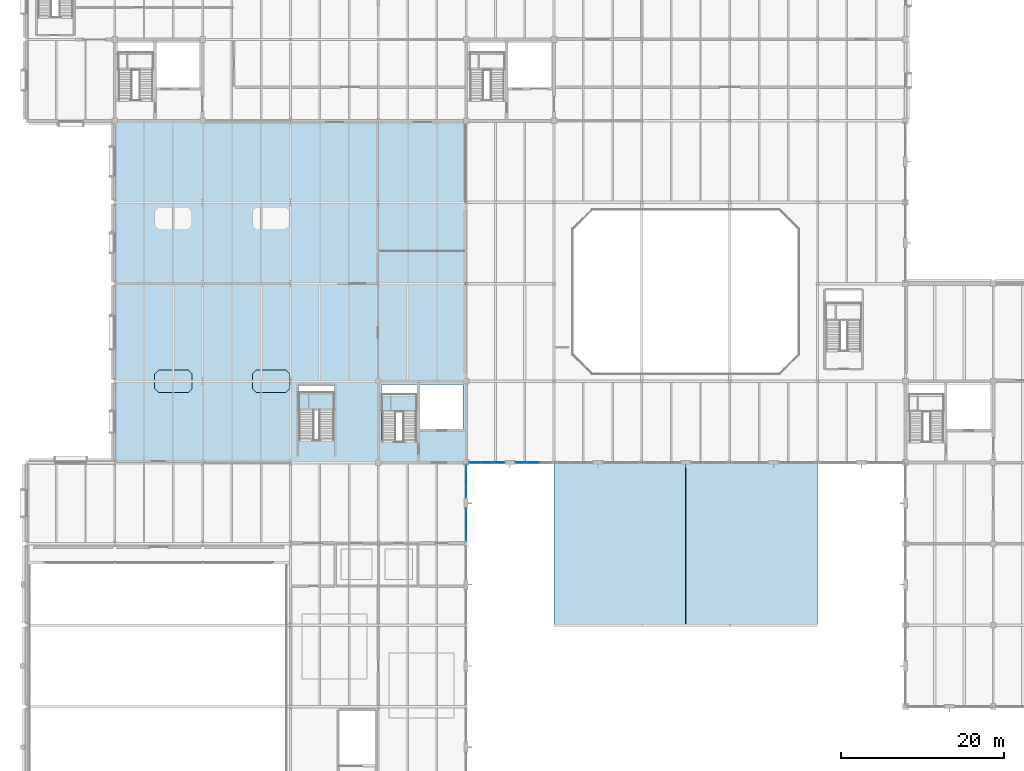
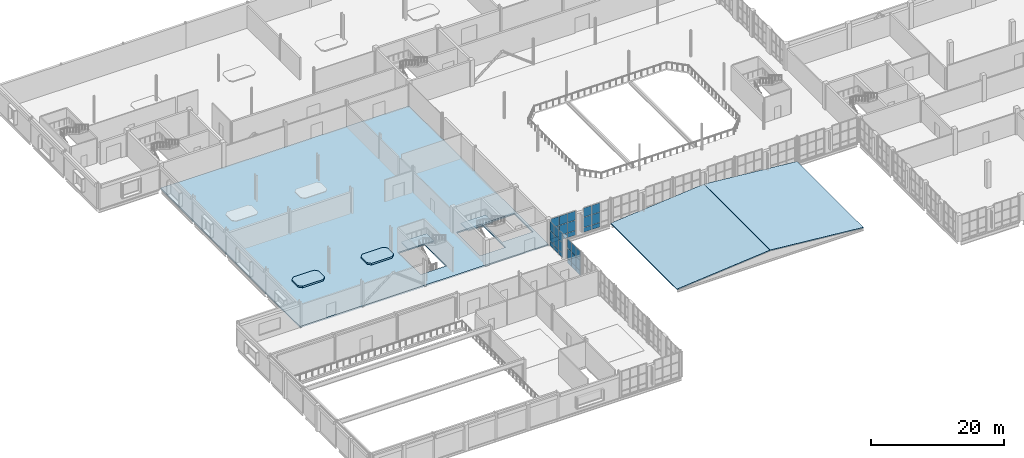
# One storey, part 57 of 92: 33 plates, 7 slabs, 6 elements without a shape of their own.
"""IFC4 building model written with IfcOpenShell, lengths in metres."""

import ifcopenshell
import ifcopenshell.guid

model = None  # the IFC model being written
_history = None  # IfcOwnerHistory: only IFC2X3 demands one
_inside = {}  # id of a spatial element -> (the spatial element, [elements in it])
_under = {}  # id of a project, library or spatial element -> (it, [spatial elements below it])
_declared = {}  # id of a project -> (the project, [libraries it declares])
_typed = {}  # id of a type object -> (the type object, [elements of that type])
_made_of = {}  # id of a material, layer set ... -> (it, [elements and type objects made of it])


def new_model(schema):
    """Start an empty IFC model of exactly this schema.

    Asked for "IFC4X3", IfcOpenShell would pick the latest addendum, in which some entities
    have other attributes; the version numbers below select the first issue.
    IFC2X3 requires an IfcOwnerHistory on every rooted entity: one is made here for all.
    """
    global model, _history
    if schema == "IFC4X3":
        model = ifcopenshell.file(schema_version=(4, 3, 0, 0))
    else:
        model = ifcopenshell.file(schema=schema)
    _inside.clear()
    _under.clear()
    _declared.clear()
    _typed.clear()
    _made_of.clear()
    _history = None
    if model.schema == "IFC2X3":
        org = make("IfcOrganization", Name="unknown")
        user = make(
            "IfcPersonAndOrganization",
            ThePerson=make("IfcPerson", FamilyName="unknown"),
            TheOrganization=org,
        )
        app = make(
            "IfcApplication",
            ApplicationDeveloper=org,
            Version="unknown",
            ApplicationFullName="unknown",
            ApplicationIdentifier="unknown",
        )
        _history = make(
            "IfcOwnerHistory",
            OwningUser=user,
            OwningApplication=app,
            ChangeAction="ADDED",
            CreationDate=0,
        )
    return model


def make(cls, **values):
    """One entity of the class cls with the attributes given. An attribute that is None is left unset."""
    return model.create_entity(
        cls, **{name: value for name, value in values.items() if value is not None}
    )


def rooted(cls, **values):
    """An entity with a GlobalId (a new one), such as an element, a storey or a relation."""
    return make(cls, GlobalId=ifcopenshell.guid.new(), OwnerHistory=_history, **values)


def si_unit(unit_type, name, prefix=None):
    """IfcSIUnit, for example si_unit("LENGTHUNIT", "METRE", prefix="MILLI")."""
    return make("IfcSIUnit", UnitType=unit_type, Prefix=prefix, Name=name)


def assignment(units):
    """IfcUnitAssignment: the units of a project."""
    return None if units is None else make("IfcUnitAssignment", Units=units)


def point(xyz):
    """IfcCartesianPoint."""
    return None if xyz is None else make("IfcCartesianPoint", Coordinates=xyz)


def direction(xyz):
    """IfcDirection."""
    return None if xyz is None else make("IfcDirection", DirectionRatios=xyz)


def frame(location, z_axis=None, x_axis=None):
    """IfcAxis2Placement3D, a coordinate frame: its origin and axes. An axis left out is left unset."""
    return make(
        "IfcAxis2Placement3D",
        Location=point(location),
        Axis=direction(z_axis),
        RefDirection=direction(x_axis),
    )


def frame_2d(location, x_axis=None):
    """IfcAxis2Placement2D, a coordinate frame in the plane: its origin and x axis."""
    return make(
        "IfcAxis2Placement2D", Location=point(location), RefDirection=direction(x_axis)
    )


def origin():
    """The frame at (0, 0, 0) with its axes left unset."""
    return frame((0.0, 0.0, 0.0))


def origin_2d():
    """The frame at (0, 0) in the plane with its x axis left unset."""
    return frame_2d((0.0, 0.0))


def place(relative_to, where):
    """IfcLocalPlacement: puts the frame where relative to a parent placement (None: the world)."""
    return make(
        "IfcLocalPlacement", PlacementRelTo=relative_to, RelativePlacement=where
    )


def context(
    kind, dimensions, precision=None, world=None, true_north=None, identifier=None
):
    """IfcGeometricRepresentationContext, for example the 3D "Model" context."""
    return make(
        "IfcGeometricRepresentationContext",
        ContextIdentifier=identifier,
        ContextType=kind,
        CoordinateSpaceDimension=dimensions,
        Precision=precision,
        WorldCoordinateSystem=world,
        TrueNorth=true_north,
    )


def subcontext(parent, identifier, kind, view, scale=None):
    """IfcGeometricRepresentationSubContext, for example "Body" below "Model"."""
    return make(
        "IfcGeometricRepresentationSubContext",
        ContextIdentifier=identifier,
        ContextType=kind,
        ParentContext=parent,
        TargetScale=scale,
        TargetView=view,
    )


def project(units=None, contexts=None):
    """IfcProject with its units and contexts."""
    return rooted(
        "IfcProject",
        Name="project",
        RepresentationContexts=contexts,
        UnitsInContext=assignment(units),
    )


def spatial(cls, under=None, at=None, **own):
    """A site, building, storey or space (cls), placed at a placement, below another one or the project."""
    s = rooted(cls, ObjectPlacement=at, **own)
    if under is not None:
        _under.setdefault(under.id(), (under, []))[1].append(s)
    return s


def polyline(points):
    """IfcPolyline through the points."""
    return make("IfcPolyline", Points=[point(p) for p in points])


def profile(cls, at=None, kind="AREA", **sizes):
    """A parametric profile (cls). Its sizes go by their IFC names, for example OverallWidth=200.0."""
    return make(cls, ProfileType=kind, Position=at, **sizes)


def rectangle(**sizes):
    """IfcRectangleProfileDef."""
    return profile("IfcRectangleProfileDef", **sizes)


def outline(outer, holes=None, kind="AREA"):
    """IfcArbitraryClosedProfileDef: a profile drawn as a closed curve; with holes, ...WithVoids."""
    if holes is None:
        return make("IfcArbitraryClosedProfileDef", ProfileType=kind, OuterCurve=outer)
    return make(
        "IfcArbitraryProfileDefWithVoids",
        ProfileType=kind,
        OuterCurve=outer,
        InnerCurves=holes,
    )


def extrude(swept, where, along, depth):
    """IfcExtrudedAreaSolid: the profile swept, set in the frame where, extruded along a direction by depth."""
    return make(
        "IfcExtrudedAreaSolid",
        SweptArea=swept,
        Position=where,
        ExtrudedDirection=direction(along),
        Depth=depth,
    )


def shape(context_of_items, identifier, shape_type, items):
    """IfcShapeRepresentation: the items that make up one representation, for example the "Body"."""
    return make(
        "IfcShapeRepresentation",
        ContextOfItems=context_of_items,
        RepresentationIdentifier=identifier,
        RepresentationType=shape_type,
        Items=items,
    )


def material(Name=None, Category=None):
    """IfcMaterial."""
    return make("IfcMaterial", Name=Name, Category=Category)


def layer(
    of_material, thickness, ventilated=None, Name=None, Category=None, Priority=None
):
    """IfcMaterialLayer: one layer of a wall or slab, of a material (None: an air gap)."""
    return make(
        "IfcMaterialLayer",
        Material=of_material,
        LayerThickness=thickness,
        IsVentilated=ventilated,
        Name=Name,
        Category=Category,
        Priority=Priority,
    )


def layer_set(layers, Name=None):
    """IfcMaterialLayerSet."""
    return make("IfcMaterialLayerSet", MaterialLayers=layers, LayerSetName=Name)


def made_of(thing, what):
    """Note that an element or type object is made of a material, layer set ...; save() writes the relation."""
    if what is not None:
        _made_of.setdefault(what.id(), (what, []))[1].append(thing)
    return thing


def type_object(cls, material=None, **own):
    """A type object (cls), such as IfcWallType, which elements share."""
    return made_of(rooted(cls, **own), material)


def element(
    cls,
    number,
    at=None,
    inside=None,
    cuts=None,
    type_object=None,
    material=None,
    context=None,
    identifier="Body",
    shape_type=None,
    held_by="IfcProductDefinitionShape",
    body=None,
    shapes=None,
    **own,
):
    """One element of the class cls, such as IfcWall. Its Tag is "e" and its number.

    at: its placement. inside: the storey or other place that contains it. cuts: it is an
    opening in that element (IfcRelVoidsElement). A single representation is given by context,
    identifier, shape_type and body (its items); several are given by shapes. held_by: the class
    of the entity that holds the representations. save() writes the other relations.
    """
    e = rooted(cls, Tag="e%d" % number, ObjectPlacement=at, **own)
    if body is not None:
        shapes = [shape(context, identifier, shape_type, body)]
    if shapes is not None:
        e.Representation = make(held_by, Representations=shapes)
    if inside is not None:
        _inside.setdefault(inside.id(), (inside, []))[1].append(e)
    if cuts is not None:
        rooted(
            "IfcRelVoidsElement", RelatingBuildingElement=cuts, RelatedOpeningElement=e
        )
    if type_object is not None:
        _typed.setdefault(type_object.id(), (type_object, []))[1].append(e)
    return made_of(e, material)


def aggregate(whole, parts):
    """IfcRelAggregates: a whole, such as a stair, and the parts it consists of."""
    return rooted("IfcRelAggregates", RelatingObject=whole, RelatedObjects=parts)


def save(model, path):
    """Write the relations noted so far, then the file.

    IfcRelAggregates (storeys below a building ...), IfcRelContainedInSpatialStructure (elements
    in a storey), IfcRelDefinesByType, IfcRelAssociatesMaterial and IfcRelDeclares: one each for
    every whole, place, type object, material and project.
    """
    for whole, parts in _under.values():
        aggregate(whole, parts)
    for where, things in _inside.values():
        rooted(
            "IfcRelContainedInSpatialStructure",
            RelatedElements=things,
            RelatingStructure=where,
        )
    for kind, things in _typed.values():
        rooted("IfcRelDefinesByType", RelatedObjects=things, RelatingType=kind)
    for what, things in _made_of.values():
        rooted("IfcRelAssociatesMaterial", RelatedObjects=things, RelatingMaterial=what)
    for by, libraries in _declared.values():
        rooted("IfcRelDeclares", RelatingContext=by, RelatedDefinitions=libraries)
    model.write(path)


model = new_model("IFC4")

# Units and contexts
model_context = context("Model", 3, precision=1e-05, world=origin(), true_north=direction((0.0, 1.0)))
body_context = subcontext(model_context, "Body", "Model", "MODEL_VIEW")
ifc_project = project(units=[si_unit("LENGTHUNIT", "METRE"), si_unit("AREAUNIT", "SQUARE_METRE"), si_unit("VOLUMEUNIT", "CUBIC_METRE"), si_unit("PLANEANGLEUNIT", "RADIAN"), si_unit("MASSUNIT", "GRAM", prefix="KILO")], contexts=[model_context])

# Site, building, storey
site_placement = place(None, origin())
site = spatial("IfcSite", under=ifc_project, at=site_placement, CompositionType="ELEMENT")
building_placement = place(site_placement, origin())
building = spatial("IfcBuilding", under=site, at=building_placement, Name="Tasgan Crest Museum", CompositionType="ELEMENT")
storey_placement = place(building_placement, frame((0.0, 0.0, 4.800048828125)))
storey = spatial("IfcBuildingStorey", under=building, at=storey_placement, Name="L01", CompositionType="ELEMENT", Elevation=4.800048828125)

# Curtain wall, plates
ifc_material_1 = material(Name="Triple-Glazed Aluminium Curtain Wall", Category="aluminium")
ifc_layer_1 = layer(ifc_material_1, 0.179931640625, Name="CW-PORCH-Y")
ifc_layer_set_1 = layer_set([ifc_layer_1], Name="Triple-Glazed Aluminium Curtain Wall")
curtain_wall_type_1 = type_object("IfcCurtainWallType", Name="CW-PORCH-Y", PredefinedType="NOTDEFINED", material=ifc_layer_set_1)
curtain_wall_1_placement = place(storey_placement, origin())
curtain_wall_1 = element("IfcCurtainWall", 1, at=curtain_wall_1_placement, inside=storey, type_object=curtain_wall_type_1, Name="Curtain wall L01 025", PredefinedType="NOTDEFINED")
ifc_material_2 = material(Name="Insulated Spandrel Glass", Category="glass")
ifc_layer_2 = layer(ifc_material_2, 0.052001953125, Name="CW-PANEL-SPANDREL")
ifc_layer_set_2 = layer_set([ifc_layer_2], Name="Insulated Spandrel Glass")
plate_type_1 = type_object("IfcPlateType", Name="CW-PANEL-SPANDREL", PredefinedType="CURTAIN_PANEL", material=ifc_layer_set_2)
plate_1_placement = place(storey_placement, frame((54.0, 31.044921875, 0.059814453125), z_axis=(0.0, 0.0, 1.0), x_axis=(0.0, 1.0, 0.0)))
plate_1 = element("IfcPlate", 2, at=plate_1_placement, type_object=plate_type_1, Name="CW02 panel 1.1", PredefinedType="CURTAIN_PANEL", context=body_context, shape_type="SweptSolid", body=[
    extrude(rectangle(XDim=1.239990234375, YDim=0.028076171875, at=origin_2d()), origin(), (0.0, 0.0, 1.0), 0.81005859375),
])
plate_2_placement = place(storey_placement, frame((54.0, 32.360107421875, 0.059814453125), z_axis=(0.0, 0.0, 1.0), x_axis=(0.0, 1.0, 0.0)))
plate_2 = element("IfcPlate", 3, at=plate_2_placement, type_object=plate_type_1, Name="CW02 panel 2.1", PredefinedType="CURTAIN_PANEL", context=body_context, shape_type="SweptSolid", body=[
    extrude(rectangle(XDim=1.27001953125, YDim=0.028076171875, at=origin_2d()), origin(), (0.0, 0.0, 1.0), 0.81005859375),
])
plate_3_placement = place(storey_placement, frame((54.0, 33.675048828125, 0.059814453125), z_axis=(0.0, 0.0, 1.0), x_axis=(0.0, 1.0, 0.0)))
plate_3 = element("IfcPlate", 4, at=plate_3_placement, type_object=plate_type_1, Name="CW02 panel 3.1", PredefinedType="CURTAIN_PANEL", context=body_context, shape_type="SweptSolid", body=[
    extrude(rectangle(XDim=1.239990234375, YDim=0.028076171875, at=origin_2d()), origin(), (0.0, 0.0, 1.0), 0.81005859375),
])

curtain_wall_2_placement = place(storey_placement, origin())
curtain_wall_2 = element("IfcCurtainWall", 5, at=curtain_wall_2_placement, inside=storey, type_object=curtain_wall_type_1, Name="Curtain wall L01 026", PredefinedType="NOTDEFINED")
plate_4_placement = place(storey_placement, frame((54.0, 36.324951171875, 0.059814453125), z_axis=(0.0, 0.0, 1.0), x_axis=(0.0, 1.0, 0.0)))
plate_4 = element("IfcPlate", 6, at=plate_4_placement, type_object=plate_type_1, Name="CW02 panel 1.1", PredefinedType="CURTAIN_PANEL", context=body_context, shape_type="SweptSolid", body=[
    extrude(rectangle(XDim=1.239990234375, YDim=0.028076171875, at=origin_2d()), origin(), (0.0, 0.0, 1.0), 0.81005859375),
])
plate_5_placement = place(storey_placement, frame((54.0, 37.639892578125, 0.059814453125), z_axis=(0.0, 0.0, 1.0), x_axis=(0.0, 1.0, 0.0)))
plate_5 = element("IfcPlate", 7, at=plate_5_placement, type_object=plate_type_1, Name="CW02 panel 2.1", PredefinedType="CURTAIN_PANEL", context=body_context, shape_type="SweptSolid", body=[
    extrude(rectangle(XDim=1.27001953125, YDim=0.028076171875, at=origin_2d()), origin(), (0.0, 0.0, 1.0), 0.81005859375),
])
plate_6_placement = place(storey_placement, frame((54.0, 38.955078125, 0.059814453125), z_axis=(0.0, 0.0, 1.0), x_axis=(0.0, 1.0, 0.0)))
plate_6 = element("IfcPlate", 8, at=plate_6_placement, type_object=plate_type_1, Name="CW02 panel 3.1", PredefinedType="CURTAIN_PANEL", context=body_context, shape_type="SweptSolid", body=[
    extrude(rectangle(XDim=1.239990234375, YDim=0.028076171875, at=origin_2d()), origin(), (0.0, 0.0, 1.0), 0.81005859375),
])

ifc_material_3 = material(Name="Triple-Glazed Aluminium Curtain Wall", Category="aluminium")
ifc_layer_3 = layer(ifc_material_3, 0.179931640625, Name="CW-DRUM-X-48")
ifc_layer_set_3 = layer_set([ifc_layer_3], Name="Triple-Glazed Aluminium Curtain Wall")
curtain_wall_type_2 = type_object("IfcCurtainWallType", Name="CW-DRUM-X-48", PredefinedType="NOTDEFINED", material=ifc_layer_set_3)
curtain_wall_3_placement = place(storey_placement, origin())
curtain_wall_3 = element("IfcCurtainWall", 9, at=curtain_wall_3_placement, inside=storey, type_object=curtain_wall_type_2, Name="Curtain wall L01 027", PredefinedType="NOTDEFINED")
plate_7_placement = place(storey_placement, frame((55.111572265625, 40.0, 0.059814453125), z_axis=(0.0, 0.0, 1.0), x_axis=(1.0, 0.0, 0.0)))
plate_7 = element("IfcPlate", 10, at=plate_7_placement, type_object=plate_type_1, Name="CW03 panel 1.1", PredefinedType="CURTAIN_PANEL", context=body_context, shape_type="SweptSolid", body=[
    extrude(rectangle(XDim=1.373291015625, YDim=0.028076171875, at=origin_2d()), origin(), (0.0, 0.0, 1.0), 0.81005859375),
])
plate_8_placement = place(storey_placement, frame((56.56005859375, 40.0, 0.059814453125), z_axis=(0.0, 0.0, 1.0), x_axis=(1.0, 0.0, 0.0)))
plate_8 = element("IfcPlate", 11, at=plate_8_placement, type_object=plate_type_1, Name="CW03 panel 2.1", PredefinedType="CURTAIN_PANEL", context=body_context, shape_type="SweptSolid", body=[
    extrude(rectangle(XDim=1.4033203125, YDim=0.028076171875, at=origin_2d()), origin(), (0.0, 0.0, 1.0), 0.81005859375),
])
plate_9_placement = place(storey_placement, frame((58.00830078125, 40.0, 0.059814453125), z_axis=(0.0, 0.0, 1.0), x_axis=(1.0, 0.0, 0.0)))
plate_9 = element("IfcPlate", 12, at=plate_9_placement, type_object=plate_type_1, Name="CW03 panel 3.1", PredefinedType="CURTAIN_PANEL", context=body_context, shape_type="SweptSolid", body=[
    extrude(rectangle(XDim=1.373291015625, YDim=0.028076171875, at=origin_2d()), origin(), (0.0, 0.0, 1.0), 0.81005859375),
])

curtain_wall_4_placement = place(storey_placement, origin())
curtain_wall_4 = element("IfcCurtainWall", 13, at=curtain_wall_4_placement, inside=storey, type_object=curtain_wall_type_2, Name="Curtain wall L01 028", PredefinedType="NOTDEFINED")
plate_10_placement = place(storey_placement, frame((60.791748046875, 40.0, 0.059814453125), z_axis=(0.0, 0.0, 1.0), x_axis=(1.0, 0.0, 0.0)))
plate_10 = element("IfcPlate", 14, at=plate_10_placement, type_object=plate_type_1, Name="CW03 panel 1.1", PredefinedType="CURTAIN_PANEL", context=body_context, shape_type="SweptSolid", body=[
    extrude(rectangle(XDim=1.373291015625, YDim=0.028076171875, at=origin_2d()), origin(), (0.0, 0.0, 1.0), 0.81005859375),
])
plate_11_placement = place(storey_placement, frame((62.239990234375, 40.0, 0.059814453125), z_axis=(0.0, 0.0, 1.0), x_axis=(1.0, 0.0, 0.0)))
plate_11 = element("IfcPlate", 15, at=plate_11_placement, type_object=plate_type_1, Name="CW03 panel 2.1", PredefinedType="CURTAIN_PANEL", context=body_context, shape_type="SweptSolid", body=[
    extrude(rectangle(XDim=1.4033203125, YDim=0.028076171875, at=origin_2d()), origin(), (0.0, 0.0, 1.0), 0.81005859375),
])

# Plate
ifc_material_4 = material(Name="Low-E Triple Glazing", Category="glass")
ifc_layer_4 = layer(ifc_material_4, 0.0439453125, Name="CW-PANEL-TRIPLE")
ifc_layer_set_4 = layer_set([ifc_layer_4], Name="Low-E Triple Glazing")
plate_type_2 = type_object("IfcPlateType", Name="CW-PANEL-TRIPLE", PredefinedType="CURTAIN_PANEL", material=ifc_layer_set_4)
plate_12_placement = place(storey_placement, frame((54.0, 31.044921875, 0.9296875), z_axis=(0.0, 0.0, 1.0), x_axis=(0.0, 1.0, 0.0)))
plate_12 = element("IfcPlate", 16, at=plate_12_placement, type_object=plate_type_2, Name="CW02 panel 1.2", PredefinedType="CURTAIN_PANEL", context=body_context, shape_type="SweptSolid", body=[
    extrude(rectangle(XDim=1.239990234375, YDim=0.028076171875, at=origin_2d()), origin(), (0.0, 0.0, 1.0), 1.840087890625),
])

plate_13_placement = place(storey_placement, frame((54.0, 31.044921875, 2.830078125), z_axis=(0.0, 0.0, 1.0), x_axis=(0.0, 1.0, 0.0)))
plate_13 = element("IfcPlate", 17, at=plate_13_placement, type_object=plate_type_2, Name="CW02 panel 1.3", PredefinedType="CURTAIN_PANEL", context=body_context, shape_type="SweptSolid", body=[
    extrude(rectangle(XDim=1.239990234375, YDim=0.028076171875, at=origin_2d()), origin(), (0.0, 0.0, 1.0), 1.669921875),
])

plate_14_placement = place(storey_placement, frame((54.0, 32.360107421875, 0.9296875), z_axis=(0.0, 0.0, 1.0), x_axis=(0.0, 1.0, 0.0)))
plate_14 = element("IfcPlate", 18, at=plate_14_placement, type_object=plate_type_2, Name="CW02 panel 2.2", PredefinedType="CURTAIN_PANEL", context=body_context, shape_type="SweptSolid", body=[
    extrude(rectangle(XDim=1.27001953125, YDim=0.028076171875, at=origin_2d()), origin(), (0.0, 0.0, 1.0), 1.840087890625),
])

plate_15_placement = place(storey_placement, frame((54.0, 32.360107421875, 2.830078125), z_axis=(0.0, 0.0, 1.0), x_axis=(0.0, 1.0, 0.0)))
plate_15 = element("IfcPlate", 19, at=plate_15_placement, type_object=plate_type_2, Name="CW02 panel 2.3", PredefinedType="CURTAIN_PANEL", context=body_context, shape_type="SweptSolid", body=[
    extrude(rectangle(XDim=1.27001953125, YDim=0.028076171875, at=origin_2d()), origin(), (0.0, 0.0, 1.0), 1.669921875),
])

plate_16_placement = place(storey_placement, frame((54.0, 33.675048828125, 0.9296875), z_axis=(0.0, 0.0, 1.0), x_axis=(0.0, 1.0, 0.0)))
plate_16 = element("IfcPlate", 20, at=plate_16_placement, type_object=plate_type_2, Name="CW02 panel 3.2", PredefinedType="CURTAIN_PANEL", context=body_context, shape_type="SweptSolid", body=[
    extrude(rectangle(XDim=1.239990234375, YDim=0.028076171875, at=origin_2d()), origin(), (0.0, 0.0, 1.0), 1.840087890625),
])

plate_17_placement = place(storey_placement, frame((54.0, 33.675048828125, 2.830078125), z_axis=(0.0, 0.0, 1.0), x_axis=(0.0, 1.0, 0.0)))
plate_17 = element("IfcPlate", 21, at=plate_17_placement, type_object=plate_type_2, Name="CW02 panel 3.3", PredefinedType="CURTAIN_PANEL", context=body_context, shape_type="SweptSolid", body=[
    extrude(rectangle(XDim=1.239990234375, YDim=0.028076171875, at=origin_2d()), origin(), (0.0, 0.0, 1.0), 1.669921875),
])

aggregate(curtain_wall_1, [plate_1, plate_12, plate_13, plate_2, plate_14, plate_15, plate_3, plate_16, plate_17])

plate_18_placement = place(storey_placement, frame((54.0, 36.324951171875, 0.9296875), z_axis=(0.0, 0.0, 1.0), x_axis=(0.0, 1.0, 0.0)))
plate_18 = element("IfcPlate", 22, at=plate_18_placement, type_object=plate_type_2, Name="CW02 panel 1.2", PredefinedType="CURTAIN_PANEL", context=body_context, shape_type="SweptSolid", body=[
    extrude(rectangle(XDim=1.239990234375, YDim=0.028076171875, at=origin_2d()), origin(), (0.0, 0.0, 1.0), 1.840087890625),
])

plate_19_placement = place(storey_placement, frame((54.0, 36.324951171875, 2.830078125), z_axis=(0.0, 0.0, 1.0), x_axis=(0.0, 1.0, 0.0)))
plate_19 = element("IfcPlate", 23, at=plate_19_placement, type_object=plate_type_2, Name="CW02 panel 1.3", PredefinedType="CURTAIN_PANEL", context=body_context, shape_type="SweptSolid", body=[
    extrude(rectangle(XDim=1.239990234375, YDim=0.028076171875, at=origin_2d()), origin(), (0.0, 0.0, 1.0), 1.669921875),
])

plate_20_placement = place(storey_placement, frame((54.0, 37.639892578125, 0.9296875), z_axis=(0.0, 0.0, 1.0), x_axis=(0.0, 1.0, 0.0)))
plate_20 = element("IfcPlate", 24, at=plate_20_placement, type_object=plate_type_2, Name="CW02 panel 2.2", PredefinedType="CURTAIN_PANEL", context=body_context, shape_type="SweptSolid", body=[
    extrude(rectangle(XDim=1.27001953125, YDim=0.028076171875, at=origin_2d()), origin(), (0.0, 0.0, 1.0), 1.840087890625),
])

plate_21_placement = place(storey_placement, frame((54.0, 37.639892578125, 2.830078125), z_axis=(0.0, 0.0, 1.0), x_axis=(0.0, 1.0, 0.0)))
plate_21 = element("IfcPlate", 25, at=plate_21_placement, type_object=plate_type_2, Name="CW02 panel 2.3", PredefinedType="CURTAIN_PANEL", context=body_context, shape_type="SweptSolid", body=[
    extrude(rectangle(XDim=1.27001953125, YDim=0.028076171875, at=origin_2d()), origin(), (0.0, 0.0, 1.0), 1.669921875),
])

plate_22_placement = place(storey_placement, frame((54.0, 38.955078125, 0.9296875), z_axis=(0.0, 0.0, 1.0), x_axis=(0.0, 1.0, 0.0)))
plate_22 = element("IfcPlate", 26, at=plate_22_placement, type_object=plate_type_2, Name="CW02 panel 3.2", PredefinedType="CURTAIN_PANEL", context=body_context, shape_type="SweptSolid", body=[
    extrude(rectangle(XDim=1.239990234375, YDim=0.028076171875, at=origin_2d()), origin(), (0.0, 0.0, 1.0), 1.840087890625),
])

plate_23_placement = place(storey_placement, frame((54.0, 38.955078125, 2.830078125), z_axis=(0.0, 0.0, 1.0), x_axis=(0.0, 1.0, 0.0)))
plate_23 = element("IfcPlate", 27, at=plate_23_placement, type_object=plate_type_2, Name="CW02 panel 3.3", PredefinedType="CURTAIN_PANEL", context=body_context, shape_type="SweptSolid", body=[
    extrude(rectangle(XDim=1.239990234375, YDim=0.028076171875, at=origin_2d()), origin(), (0.0, 0.0, 1.0), 1.669921875),
])

aggregate(curtain_wall_2, [plate_4, plate_18, plate_19, plate_5, plate_20, plate_21, plate_6, plate_22, plate_23])

plate_24_placement = place(storey_placement, frame((55.111572265625, 40.0, 0.9296875), z_axis=(0.0, 0.0, 1.0), x_axis=(1.0, 0.0, 0.0)))
plate_24 = element("IfcPlate", 28, at=plate_24_placement, type_object=plate_type_2, Name="CW03 panel 1.2", PredefinedType="CURTAIN_PANEL", context=body_context, shape_type="SweptSolid", body=[
    extrude(rectangle(XDim=1.373291015625, YDim=0.028076171875, at=origin_2d()), origin(), (0.0, 0.0, 1.0), 1.840087890625),
])

plate_25_placement = place(storey_placement, frame((55.111572265625, 40.0, 2.830078125), z_axis=(0.0, 0.0, 1.0), x_axis=(1.0, 0.0, 0.0)))
plate_25 = element("IfcPlate", 29, at=plate_25_placement, type_object=plate_type_2, Name="CW03 panel 1.3", PredefinedType="CURTAIN_PANEL", context=body_context, shape_type="SweptSolid", body=[
    extrude(rectangle(XDim=1.373291015625, YDim=0.028076171875, at=origin_2d()), origin(), (0.0, 0.0, 1.0), 1.669921875),
])

plate_26_placement = place(storey_placement, frame((56.56005859375, 40.0, 0.9296875), z_axis=(0.0, 0.0, 1.0), x_axis=(1.0, 0.0, 0.0)))
plate_26 = element("IfcPlate", 30, at=plate_26_placement, type_object=plate_type_2, Name="CW03 panel 2.2", PredefinedType="CURTAIN_PANEL", context=body_context, shape_type="SweptSolid", body=[
    extrude(rectangle(XDim=1.4033203125, YDim=0.028076171875, at=origin_2d()), origin(), (0.0, 0.0, 1.0), 1.840087890625),
])

plate_27_placement = place(storey_placement, frame((56.56005859375, 40.0, 2.830078125), z_axis=(0.0, 0.0, 1.0), x_axis=(1.0, 0.0, 0.0)))
plate_27 = element("IfcPlate", 31, at=plate_27_placement, type_object=plate_type_2, Name="CW03 panel 2.3", PredefinedType="CURTAIN_PANEL", context=body_context, shape_type="SweptSolid", body=[
    extrude(rectangle(XDim=1.4033203125, YDim=0.028076171875, at=origin_2d()), origin(), (0.0, 0.0, 1.0), 1.669921875),
])

plate_28_placement = place(storey_placement, frame((58.00830078125, 40.0, 0.9296875), z_axis=(0.0, 0.0, 1.0), x_axis=(1.0, 0.0, 0.0)))
plate_28 = element("IfcPlate", 32, at=plate_28_placement, type_object=plate_type_2, Name="CW03 panel 3.2", PredefinedType="CURTAIN_PANEL", context=body_context, shape_type="SweptSolid", body=[
    extrude(rectangle(XDim=1.373291015625, YDim=0.028076171875, at=origin_2d()), origin(), (0.0, 0.0, 1.0), 1.840087890625),
])

plate_29_placement = place(storey_placement, frame((58.00830078125, 40.0, 2.830078125), z_axis=(0.0, 0.0, 1.0), x_axis=(1.0, 0.0, 0.0)))
plate_29 = element("IfcPlate", 33, at=plate_29_placement, type_object=plate_type_2, Name="CW03 panel 3.3", PredefinedType="CURTAIN_PANEL", context=body_context, shape_type="SweptSolid", body=[
    extrude(rectangle(XDim=1.373291015625, YDim=0.028076171875, at=origin_2d()), origin(), (0.0, 0.0, 1.0), 1.669921875),
])

aggregate(curtain_wall_3, [plate_7, plate_24, plate_25, plate_8, plate_26, plate_27, plate_9, plate_28, plate_29])

plate_30_placement = place(storey_placement, frame((60.791748046875, 40.0, 0.9296875), z_axis=(0.0, 0.0, 1.0), x_axis=(1.0, 0.0, 0.0)))
plate_30 = element("IfcPlate", 34, at=plate_30_placement, type_object=plate_type_2, Name="CW03 panel 1.2", PredefinedType="CURTAIN_PANEL", context=body_context, shape_type="SweptSolid", body=[
    extrude(rectangle(XDim=1.373291015625, YDim=0.028076171875, at=origin_2d()), origin(), (0.0, 0.0, 1.0), 1.840087890625),
])

plate_31_placement = place(storey_placement, frame((60.791748046875, 40.0, 2.830078125), z_axis=(0.0, 0.0, 1.0), x_axis=(1.0, 0.0, 0.0)))
plate_31 = element("IfcPlate", 35, at=plate_31_placement, type_object=plate_type_2, Name="CW03 panel 1.3", PredefinedType="CURTAIN_PANEL", context=body_context, shape_type="SweptSolid", body=[
    extrude(rectangle(XDim=1.373291015625, YDim=0.028076171875, at=origin_2d()), origin(), (0.0, 0.0, 1.0), 1.669921875),
])

plate_32_placement = place(storey_placement, frame((62.239990234375, 40.0, 0.9296875), z_axis=(0.0, 0.0, 1.0), x_axis=(1.0, 0.0, 0.0)))
plate_32 = element("IfcPlate", 36, at=plate_32_placement, type_object=plate_type_2, Name="CW03 panel 2.2", PredefinedType="CURTAIN_PANEL", context=body_context, shape_type="SweptSolid", body=[
    extrude(rectangle(XDim=1.4033203125, YDim=0.028076171875, at=origin_2d()), origin(), (0.0, 0.0, 1.0), 1.840087890625),
])

plate_33_placement = place(storey_placement, frame((62.239990234375, 40.0, 2.830078125), z_axis=(0.0, 0.0, 1.0), x_axis=(1.0, 0.0, 0.0)))
plate_33 = element("IfcPlate", 37, at=plate_33_placement, type_object=plate_type_2, Name="CW03 panel 2.3", PredefinedType="CURTAIN_PANEL", context=body_context, shape_type="SweptSolid", body=[
    extrude(rectangle(XDim=1.4033203125, YDim=0.028076171875, at=origin_2d()), origin(), (0.0, 0.0, 1.0), 1.669921875),
])

aggregate(curtain_wall_4, [plate_10, plate_30, plate_31, plate_11, plate_32, plate_33])

# Slabs
ifc_material_5 = material(Name="Concrete C35/45", Category="concrete")
ifc_layer_5 = layer(ifc_material_5, 0.2900390625, Name="SL-DAIS-T09")
ifc_layer_set_5 = layer_set([ifc_layer_5], Name="Concrete C35/45")
slab_type_1 = type_object("IfcSlabType", Name="SL-DAIS-T09", PredefinedType="FLOOR", material=ifc_layer_set_5)
slab_1_placement = place(storey_placement, origin())
element("IfcSlab", 38, at=slab_1_placement, inside=storey, type_object=slab_type_1, Name="Exhibition specimen dais L01-09", PredefinedType="FLOOR", context=body_context, shape_type="SweptSolid", body=[
    extrude(outline(polyline([(16.199951171875, 48.60009765625), (19.800048828125, 48.60009765625), (20.300048828125, 49.10009765625), (20.300048828125, 50.89990234375), (19.800048828125, 51.39990234375), (16.199951171875, 51.39990234375), (15.699951171875, 50.89990234375), (15.699951171875, 49.10009765625), (16.199951171875, 48.60009765625)])), origin(), (0.0, 0.0, 1.0), 0.2900390625),
])
ifc_material_6 = material(Name="Concrete C35/45", Category="concrete")
ifc_layer_6 = layer(ifc_material_6, 0.31005859375, Name="SL-DAIS-T10")
ifc_layer_set_6 = layer_set([ifc_layer_6], Name="Concrete C35/45")
slab_type_2 = type_object("IfcSlabType", Name="SL-DAIS-T10", PredefinedType="FLOOR", material=ifc_layer_set_6)
slab_2_placement = place(storey_placement, origin())
element("IfcSlab", 39, at=slab_2_placement, inside=storey, type_object=slab_type_2, Name="Exhibition specimen dais L01-10", PredefinedType="FLOOR", context=body_context, shape_type="SweptSolid", body=[
    extrude(outline(polyline([(28.199951171875, 48.60009765625), (31.800048828125, 48.60009765625), (32.300048828125, 49.10009765625), (32.300048828125, 50.89990234375), (31.800048828125, 51.39990234375), (28.199951171875, 51.39990234375), (27.699951171875, 50.89990234375), (27.699951171875, 49.10009765625), (28.199951171875, 48.60009765625)])), origin(), (0.0, 0.0, 1.0), 0.31005859375),
])
ifc_material_7 = material(Name="Concrete C35/45", Category="concrete")
ifc_layer_7 = layer(ifc_material_7, 0.260009765625, Name="SL-FLR-260")
ifc_layer_set_7 = layer_set([ifc_layer_7], Name="Concrete C35/45")
slab_type_3 = type_object("IfcSlabType", Name="SL-FLR-260", PredefinedType="FLOOR", material=ifc_layer_set_7)
slab_3_placement = place(storey_placement, frame((0.0, 0.0, -0.260009765625)))
element("IfcSlab", 40, at=slab_3_placement, inside=storey, type_object=slab_type_3, Name="Floor slab L01 V4", PredefinedType="FLOOR", context=body_context, shape_type="SweptSolid", body=[
    extrude(outline(polyline([(10.800048828125, 40.0), (54.0, 40.0), (54.0, 82.0), (10.800048828125, 82.0), (10.800048828125, 40.0)]), holes=[polyline([(43.580078125, 42.550048828125), (48.0, 42.550048828125), (48.0, 49.6201171875), (43.580078125, 49.6201171875), (43.580078125, 42.550048828125)]), polyline([(48.25, 44.0), (53.6201171875, 44.0), (53.6201171875, 49.6201171875), (48.25, 49.6201171875), (48.25, 44.0)]), polyline([(33.35009765625, 42.75), (37.85009765625, 42.75), (37.85009765625, 49.449951171875), (33.35009765625, 49.449951171875), (33.35009765625, 42.75)])]), origin(), (0.0, 0.0, 1.0), 0.260009765625),
])

# Stair, slab
ifc_material_8 = material(Name="Concrete C35/45", Category="concrete")
stair_type = type_object("IfcStairType", Name="ST-CORE-48", PredefinedType="HALF_TURN_STAIR", material=ifc_material_8)
stair_1_placement = place(storey_placement, origin())
stair_1 = element("IfcStair", 41, at=stair_1_placement, inside=storey, type_object=stair_type, Name="Stair ST-SW-L01 L01", PredefinedType="HALF_TURN_STAIR")
ifc_material_9 = material(Name="Concrete C35/45", Category="concrete")
ifc_layer_8 = layer(ifc_material_9, 0.199951171875, Name="SL-LAND-200")
ifc_layer_set_8 = layer_set([ifc_layer_8], Name="Concrete C35/45")
slab_type_4 = type_object("IfcSlabType", Name="SL-LAND-200", PredefinedType="LANDING", material=ifc_layer_set_8)
slab_4_placement = place(storey_placement, frame((0.0, 0.0, 2.199951171875)))
slab_4 = element("IfcSlab", 42, at=slab_4_placement, type_object=slab_type_4, Name="ST-SW-L01 landing 1", PredefinedType="LANDING", context=body_context, shape_type="SweptSolid", body=[
    extrude(outline(polyline([(43.6201171875, 46.205078125), (47.929931640625, 46.205078125), (47.929931640625, 48.455078125), (43.6201171875, 48.455078125), (43.6201171875, 46.205078125)])), origin(), (0.0, 0.0, 1.0), 0.199951171875),
])
aggregate(stair_1, [slab_4])

stair_2_placement = place(storey_placement, origin())
stair_2 = element("IfcStair", 43, at=stair_2_placement, inside=storey, type_object=stair_type, Name="Stair ST-GP-L01 L01", PredefinedType="HALF_TURN_STAIR")
slab_5_placement = place(storey_placement, frame((0.0, 0.0, 2.199951171875)))
slab_5 = element("IfcSlab", 44, at=slab_5_placement, type_object=slab_type_4, Name="ST-GP-L01 landing 1", PredefinedType="LANDING", context=body_context, shape_type="SweptSolid", body=[
    extrude(outline(polyline([(33.39990234375, 46.405029296875), (37.800048828125, 46.405029296875), (37.800048828125, 48.655029296875), (33.39990234375, 48.655029296875), (33.39990234375, 46.405029296875)])), origin(), (0.0, 0.0, 1.0), 0.199951171875),
])
aggregate(stair_2, [slab_5])

# Slabs
ifc_material_10 = material(Name="Concrete C35/45", Category="concrete")
ifc_layer_9 = layer(ifc_material_10, 0.199951171875, Name="SL-ROOF-200")
ifc_layer_set_9 = layer_set([ifc_layer_9], Name="Concrete C35/45")
slab_type_5 = type_object("IfcSlabType", Name="SL-ROOF-200", PredefinedType="ROOF", material=ifc_layer_set_9)
for number, where, z_axis, x_axis, name in (
    (45, (64.800048828125, 20.0, 0.099853515625), (-0.09236824916, 0.0, 0.995724915098), (0.995724915098, 0.0, 0.09236824916), "Entrance porch west pitched roof"),
    (46, (81.030029296875, 20.0, 1.599853515625), (0.09236824916, 0.0, 0.995724915098), (0.995724915098, 0.0, -0.09236824916), "Entrance porch east pitched roof"),
):
    element("IfcSlab", number, at=place(storey_placement, frame(where, z_axis=z_axis, x_axis=x_axis)), inside=storey, type_object=slab_type_5, Name=name, PredefinedType="ROOF", context=body_context, shape_type="SweptSolid", body=[
        extrude(outline(polyline([(0.0, 0.0), (16.239346459867267, 0.0), (16.239346459867267, 20.0), (0.0, 20.0), (0.0, 0.0)])), origin(), (0.0, 0.0, -1.0), 0.199951171875),
    ])

save(model, "model.ifc")
